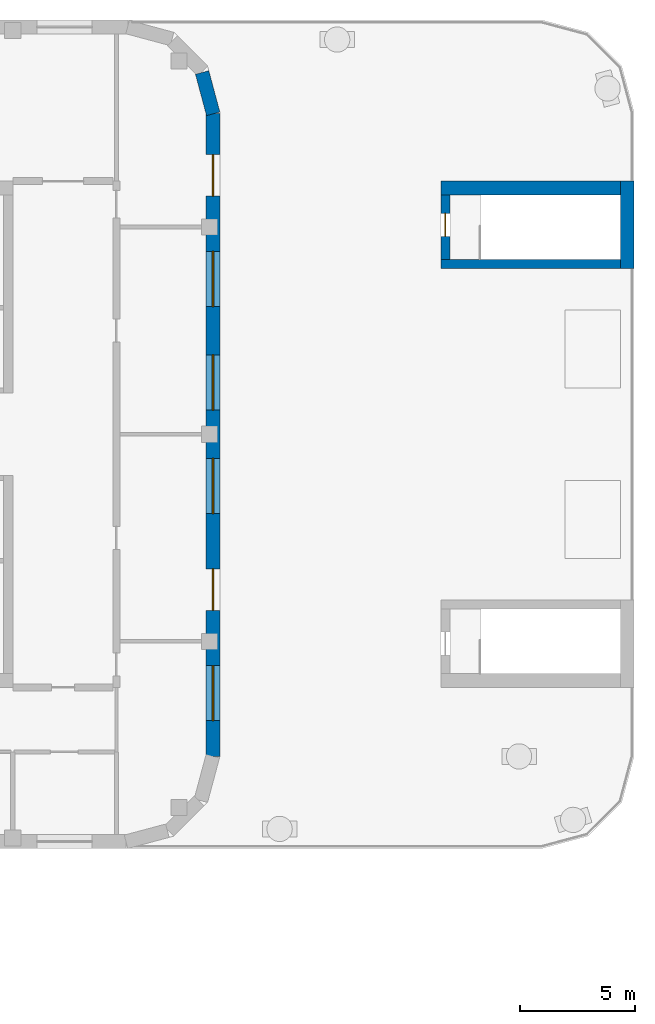
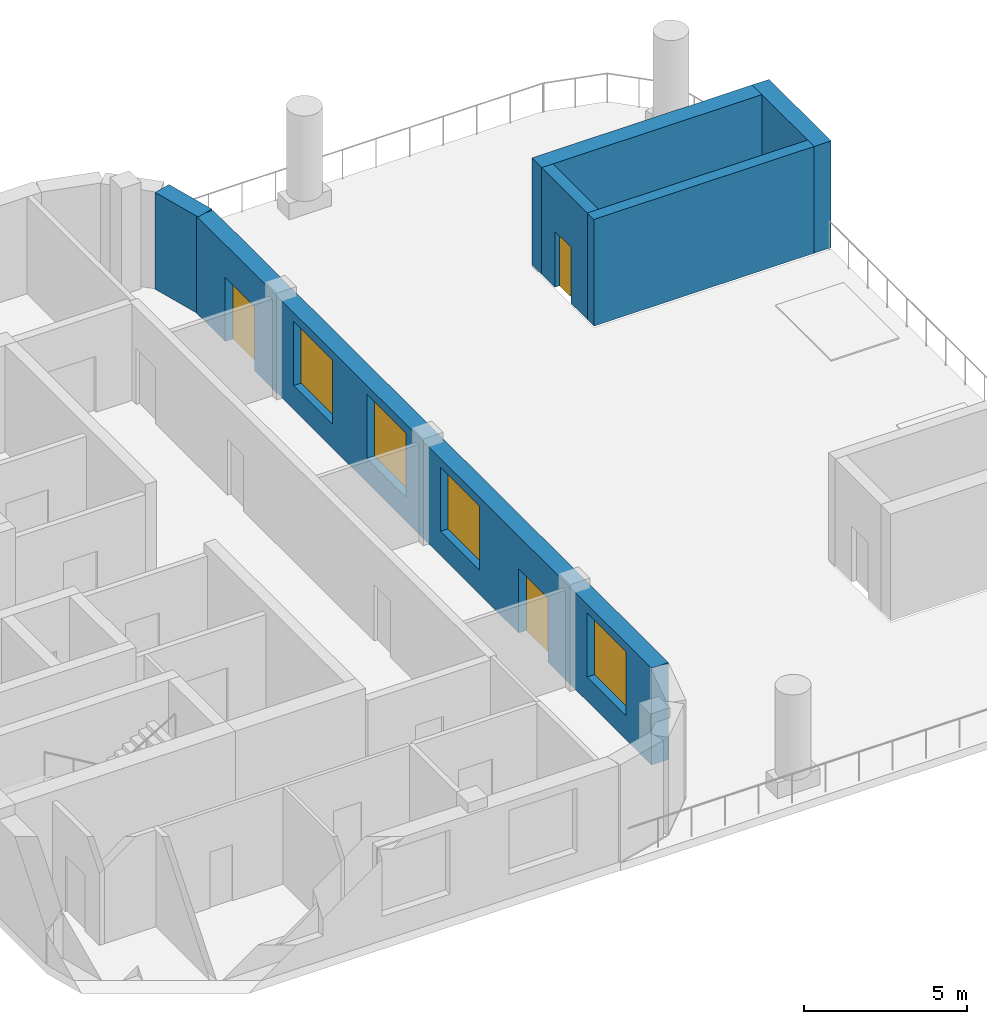
# One storey, part 9 of 14: 6 walls, 4 windows, 3 doors, 7 openings.
"""IFC4 building model written with IfcOpenShell, lengths in metres."""

from ifc_helpers import new_model, si_unit, direction, frame, frame_2d, origin, place, context, subcontext, project, spatial, rectangle, extrude, material, layer, layer_set, type_object, element, fill, save


model = new_model("IFC4")

# Units and contexts
model_context = context("Model", 3, precision=1e-05, world=origin(), true_north=direction((0.0, 1.0)))
body_context = subcontext(model_context, "Body", "Model", "MODEL_VIEW")
ifc_project = project(units=[si_unit("LENGTHUNIT", "METRE"), si_unit("AREAUNIT", "SQUARE_METRE"), si_unit("VOLUMEUNIT", "CUBIC_METRE"), si_unit("PLANEANGLEUNIT", "RADIAN"), si_unit("MASSUNIT", "GRAM", prefix="KILO")], contexts=[model_context])

# Site, building, storey
site_placement = place(None, origin())
site = spatial("IfcSite", under=ifc_project, at=site_placement, CompositionType="ELEMENT")
building_placement = place(site_placement, origin())
building = spatial("IfcBuilding", under=site, at=building_placement, Name="Skarvind Civic Tower", CompositionType="ELEMENT")
storey_placement = place(building_placement, frame((0.0, 0.0, 89.0)))
storey = spatial("IfcBuildingStorey", under=building, at=storey_placement, Name="L20", CompositionType="ELEMENT", Elevation=89.0)

# Wall
ifc_material_1 = material(Name="Concrete C80", Category="concrete")
ifc_layer_1 = layer(ifc_material_1, 0.39990234375)
ifc_layer_set_1 = layer_set([ifc_layer_1], Name="Core wall 400 C80")
wall_type_1 = type_object("IfcWallType", Name="Core wall 400 C80", PredefinedType="SHEAR", material=ifc_layer_set_1)
wall_1_placement = place(storey_placement, frame((166.39990234375, 135.39990234375, 0.0), z_axis=(0.0, 0.0, 1.0), x_axis=(-1.0, 0.0, 0.0)))
element("IfcWall", 1, at=wall_1_placement, inside=storey, type_object=wall_type_1, Name="Core wall CB south stair head-house inner L20", PredefinedType="SHEAR", context=body_context, shape_type="SweptSolid", body=[
    extrude(rectangle(XDim=7.7998046875, YDim=0.39990234375, at=frame_2d((3.89990234375, 0.0))), origin(), (0.0, 0.0, 1.0), 4.0),
])

# Wall, opening, door
wall_2_placement = place(storey_placement, frame((158.800048828125, 138.39990234375, 0.0), z_axis=(0.0, 0.0, 1.0), x_axis=(0.0, -1.0, 0.0)))
wall_2 = element("IfcWall", 2, at=wall_2_placement, inside=storey, type_object=wall_type_1, Name="Core wall CB south stair head-house end L20", PredefinedType="SHEAR", context=body_context, shape_type="SweptSolid", body=[
    extrude(rectangle(XDim=2.7998046875, YDim=0.39990234375, at=frame_2d((1.39990234375, 0.0))), origin(), (0.0, 0.0, 1.0), 4.0),
])
opening_1_placement = place(wall_2_placement, frame((0.800048828125, 0.0, 0.0)))
opening_1 = element("IfcOpeningElement", 3, at=opening_1_placement, cuts=wall_2, Name="Opening D-L20-CB-01", PredefinedType="OPENING", context=body_context, shape_type="SweptSolid", body=[
    extrude(rectangle(XDim=1.0, YDim=2.10009765625, at=frame_2d((0.5, 1.050048828125))), frame((0.0, 0.2099609375, 0.0), z_axis=(0.0, -1.0, 0.0), x_axis=(1.0, 0.0, 0.0)), (0.0, 0.0, 1.0), 0.419921875),
])
ifc_material_2 = material(Name="Fire-rated steel door", Category="steel")
door_type_1 = type_object("IfcDoorType", Name="Fire door 1000", OperationType="NOTDEFINED", PredefinedType="DOOR", material=ifc_material_2)
door_1_placement = place(opening_1_placement, origin())
door_1 = element("IfcDoor", 4, at=door_1_placement, inside=storey, type_object=door_type_1, Name="Roof door", OperationType="SINGLE_SWING_LEFT", OverallHeight=2.10009765625, OverallWidth=1.0, PredefinedType="DOOR", context=body_context, shape_type="SweptSolid", body=[
    extrude(rectangle(XDim=1.0, YDim=2.10009765625, at=frame_2d((0.5, 1.050048828125))), frame((0.0, 0.02490234375, 0.0), z_axis=(0.0, -1.0, 0.0), x_axis=(1.0, 0.0, 0.0)), (0.0, 0.0, 1.0), 0.050048828125),
])
fill(opening_1, door_1)

# Walls
ifc_layer_2 = layer(ifc_material_1, 0.60009765625)
ifc_layer_set_2 = layer_set([ifc_layer_2], Name="Core wall 600 C80")
wall_type_2 = type_object("IfcWallType", Name="Core wall 600 C80", PredefinedType="SHEAR", material=ifc_layer_set_2)
wall_3_placement = place(storey_placement, frame((166.699951171875, 139.0, 0.0), z_axis=(0.0, 0.0, 1.0), x_axis=(0.0, -1.0, 0.0)))
element("IfcWall", 5, at=wall_3_placement, inside=storey, type_object=wall_type_2, Name="Core wall CB south stair head-house tip L20", PredefinedType="SHEAR", context=body_context, shape_type="SweptSolid", body=[
    extrude(rectangle(XDim=3.800048828125, YDim=0.60009765625, at=frame_2d((1.89990234375, 0.0))), origin(), (0.0, 0.0, 1.0), 4.0),
])
wall_4_placement = place(storey_placement, frame((166.39990234375, 138.699951171875, 0.0), z_axis=(0.0, 0.0, 1.0), x_axis=(-1.0, 0.0, 0.0)))
element("IfcWall", 6, at=wall_4_placement, inside=storey, type_object=wall_type_2, Name="Core wall CB south stair head-house side L20", PredefinedType="SHEAR", context=body_context, shape_type="SweptSolid", body=[
    extrude(rectangle(XDim=7.7998046875, YDim=0.60009765625, at=frame_2d((3.89990234375, 0.0))), origin(), (0.0, 0.0, 1.0), 4.0),
])

# Wall, openings, doors, windows
ifc_material_3 = material(Name="Limestone masonry cladding on insulated backing", Category="masonry")
ifc_layer_3 = layer(ifc_material_3, 0.60009765625)
ifc_layer_set_3 = layer_set([ifc_layer_3], Name="WX1 STONE FACADE WALL 600")
wall_type_3 = type_object("IfcWallType", Name="WX1 STONE FACADE WALL 600", PredefinedType="SOLIDWALL", material=ifc_layer_set_3)
wall_5_placement = place(storey_placement, frame((148.699951171875, 141.929931640625, 0.0), z_axis=(0.0, 0.0, 1.0), x_axis=(0.0, -1.0, 0.0)))
wall_5 = element("IfcWall", 7, at=wall_5_placement, inside=storey, type_object=wall_type_3, Name="STONE FACADE WALL", PredefinedType="SOLIDWALL", context=body_context, shape_type="SweptSolid", body=[
    extrude(rectangle(XDim=27.929931640625, YDim=0.60009765625, at=frame_2d((13.96484375, 0.0))), origin(), (0.0, 0.0, 1.0), 3.625),
])
opening_2_placement = place(wall_5_placement, frame((1.780029296875, 0.0, 0.0)))
opening_2 = element("IfcOpeningElement", 8, at=opening_2_placement, cuts=wall_5, Name="Opening DX3", PredefinedType="OPENING", context=body_context, shape_type="SweptSolid", body=[
    extrude(rectangle(XDim=1.800048828125, YDim=2.39990234375, at=frame_2d((0.89990234375, 1.199951171875))), frame((0.0, 0.31005859375, 0.0), z_axis=(0.0, -1.0, 0.0), x_axis=(1.0, 0.0, 0.0)), (0.0, 0.0, 1.0), 0.6201171875),
])
opening_3_placement = place(wall_5_placement, frame((5.97998046875, 0.0, 0.89990234375)))
opening_3 = element("IfcOpeningElement", 9, at=opening_3_placement, cuts=wall_5, Name="Opening WN9", PredefinedType="OPENING", context=body_context, shape_type="SweptSolid", body=[
    extrude(rectangle(XDim=2.39990234375, YDim=2.39990234375, at=frame_2d((1.199951171875, 1.199951171875))), frame((0.0, 0.31005859375, 0.0), z_axis=(0.0, -1.0, 0.0), x_axis=(1.0, 0.0, 0.0)), (0.0, 0.0, 1.0), 0.6201171875),
])
opening_4_placement = place(wall_5_placement, frame((10.47998046875, 0.0, 0.89990234375)))
opening_4 = element("IfcOpeningElement", 10, at=opening_4_placement, cuts=wall_5, Name="Opening WN9", PredefinedType="OPENING", context=body_context, shape_type="SweptSolid", body=[
    extrude(rectangle(XDim=2.39990234375, YDim=2.39990234375, at=frame_2d((1.199951171875, 1.199951171875))), frame((0.0, 0.31005859375, 0.0), z_axis=(0.0, -1.0, 0.0), x_axis=(1.0, 0.0, 0.0)), (0.0, 0.0, 1.0), 0.6201171875),
])
opening_5_placement = place(wall_5_placement, frame((14.97998046875, 0.0, 0.89990234375)))
opening_5 = element("IfcOpeningElement", 11, at=opening_5_placement, cuts=wall_5, Name="Opening WN9", PredefinedType="OPENING", context=body_context, shape_type="SweptSolid", body=[
    extrude(rectangle(XDim=2.39990234375, YDim=2.39990234375, at=frame_2d((1.199951171875, 1.199951171875))), frame((0.0, 0.31005859375, 0.0), z_axis=(0.0, -1.0, 0.0), x_axis=(1.0, 0.0, 0.0)), (0.0, 0.0, 1.0), 0.6201171875),
])
opening_6_placement = place(wall_5_placement, frame((19.780029296875, 0.0, 0.0)))
opening_6 = element("IfcOpeningElement", 12, at=opening_6_placement, cuts=wall_5, Name="Opening DX3", PredefinedType="OPENING", context=body_context, shape_type="SweptSolid", body=[
    extrude(rectangle(XDim=1.800048828125, YDim=2.39990234375, at=frame_2d((0.89990234375, 1.199951171875))), frame((0.0, 0.31005859375, 0.0), z_axis=(0.0, -1.0, 0.0), x_axis=(1.0, 0.0, 0.0)), (0.0, 0.0, 1.0), 0.6201171875),
])
opening_7_placement = place(wall_5_placement, frame((23.97998046875, 0.0, 0.89990234375)))
opening_7 = element("IfcOpeningElement", 13, at=opening_7_placement, cuts=wall_5, Name="Opening WN9", PredefinedType="OPENING", context=body_context, shape_type="SweptSolid", body=[
    extrude(rectangle(XDim=2.39990234375, YDim=2.39990234375, at=frame_2d((1.199951171875, 1.199951171875))), frame((0.0, 0.31005859375, 0.0), z_axis=(0.0, -1.0, 0.0), x_axis=(1.0, 0.0, 0.0)), (0.0, 0.0, 1.0), 0.6201171875),
])
ifc_material_4 = material(Name="Timber and glass doorset", Category="wood")
door_type_2 = type_object("IfcDoorType", Name="DX3 TERRACE DOORS 1800 x 2400", OperationType="NOTDEFINED", PredefinedType="DOOR", material=ifc_material_4)
door_2_placement = place(opening_2_placement, origin())
door_2 = element("IfcDoor", 14, at=door_2_placement, inside=storey, type_object=door_type_2, Name="TERRACE DOORS", OperationType="DOUBLE_DOOR_SINGLE_SWING", OverallHeight=2.39990234375, OverallWidth=1.800048828125, PredefinedType="DOOR", context=body_context, shape_type="SweptSolid", body=[
    extrude(rectangle(XDim=1.800048828125, YDim=2.39990234375, at=frame_2d((0.89990234375, 1.199951171875))), frame((0.0, 0.02490234375, 0.0), z_axis=(0.0, -1.0, 0.0), x_axis=(1.0, 0.0, 0.0)), (0.0, 0.0, 1.0), 0.050048828125),
])
fill(opening_2, door_2)
door_3_placement = place(opening_6_placement, origin())
door_3 = element("IfcDoor", 15, at=door_3_placement, inside=storey, type_object=door_type_2, Name="TERRACE DOORS", OperationType="DOUBLE_DOOR_SINGLE_SWING", OverallHeight=2.39990234375, OverallWidth=1.800048828125, PredefinedType="DOOR", context=body_context, shape_type="SweptSolid", body=[
    extrude(rectangle(XDim=1.800048828125, YDim=2.39990234375, at=frame_2d((0.89990234375, 1.199951171875))), frame((0.0, 0.02490234375, 0.0), z_axis=(0.0, -1.0, 0.0), x_axis=(1.0, 0.0, 0.0)), (0.0, 0.0, 1.0), 0.050048828125),
])
fill(opening_6, door_3)
ifc_material_5 = material(Name="Timber frame, double glazing, timber-lined reveal", Category="wood")
window_type = type_object("IfcWindowType", Name="WN9 COMPANION TOWER WINDOW 2400 x 2400", PartitioningType="SINGLE_PANEL", PredefinedType="WINDOW", material=ifc_material_5)
window_1_placement = place(opening_3_placement, origin())
window_1 = element("IfcWindow", 16, at=window_1_placement, inside=storey, type_object=window_type, Name="WN9 WINDOW", OverallHeight=2.39990234375, OverallWidth=2.39990234375, PartitioningType="SINGLE_PANEL", PredefinedType="WINDOW", context=body_context, shape_type="SweptSolid", body=[
    extrude(rectangle(XDim=2.39990234375, YDim=2.39990234375, at=frame_2d((1.199951171875, 1.199951171875))), frame((0.0, 0.030029296875, 0.0), z_axis=(0.0, -1.0, 0.0), x_axis=(1.0, 0.0, 0.0)), (0.0, 0.0, 1.0), 0.06005859375),
])
fill(opening_3, window_1)
window_2_placement = place(opening_4_placement, origin())
window_2 = element("IfcWindow", 17, at=window_2_placement, inside=storey, type_object=window_type, Name="WN9 WINDOW", OverallHeight=2.39990234375, OverallWidth=2.39990234375, PartitioningType="SINGLE_PANEL", PredefinedType="WINDOW", context=body_context, shape_type="SweptSolid", body=[
    extrude(rectangle(XDim=2.39990234375, YDim=2.39990234375, at=frame_2d((1.199951171875, 1.199951171875))), frame((0.0, 0.030029296875, 0.0), z_axis=(0.0, -1.0, 0.0), x_axis=(1.0, 0.0, 0.0)), (0.0, 0.0, 1.0), 0.06005859375),
])
fill(opening_4, window_2)
window_3_placement = place(opening_5_placement, origin())
window_3 = element("IfcWindow", 18, at=window_3_placement, inside=storey, type_object=window_type, Name="WN9 WINDOW", OverallHeight=2.39990234375, OverallWidth=2.39990234375, PartitioningType="SINGLE_PANEL", PredefinedType="WINDOW", context=body_context, shape_type="SweptSolid", body=[
    extrude(rectangle(XDim=2.39990234375, YDim=2.39990234375, at=frame_2d((1.199951171875, 1.199951171875))), frame((0.0, 0.030029296875, 0.0), z_axis=(0.0, -1.0, 0.0), x_axis=(1.0, 0.0, 0.0)), (0.0, 0.0, 1.0), 0.06005859375),
])
fill(opening_5, window_3)
window_4_placement = place(opening_7_placement, origin())
window_4 = element("IfcWindow", 19, at=window_4_placement, inside=storey, type_object=window_type, Name="WN9 WINDOW", OverallHeight=2.39990234375, OverallWidth=2.39990234375, PartitioningType="SINGLE_PANEL", PredefinedType="WINDOW", context=body_context, shape_type="SweptSolid", body=[
    extrude(rectangle(XDim=2.39990234375, YDim=2.39990234375, at=frame_2d((1.199951171875, 1.199951171875))), frame((0.0, 0.030029296875, 0.0), z_axis=(0.0, -1.0, 0.0), x_axis=(1.0, 0.0, 0.0)), (0.0, 0.0, 1.0), 0.06005859375),
])
fill(opening_7, window_4)

# Wall
wall_6_placement = place(storey_placement, frame((148.228759765625, 143.719482421875, 0.0), z_axis=(0.0, 0.0, 1.0), x_axis=(0.258773254036, -0.965938094805, 0.0)))
element("IfcWall", 20, at=wall_6_placement, inside=storey, type_object=wall_type_3, Name="STONE FACADE WALL", PredefinedType="SOLIDWALL", context=body_context, shape_type="SweptSolid", body=[
    extrude(rectangle(XDim=1.860595703125, YDim=0.60009765625, at=frame_2d((0.93017578125, 0.0))), origin(), (0.0, 0.0, 1.0), 3.625),
])

save(model, "model.ifc")
